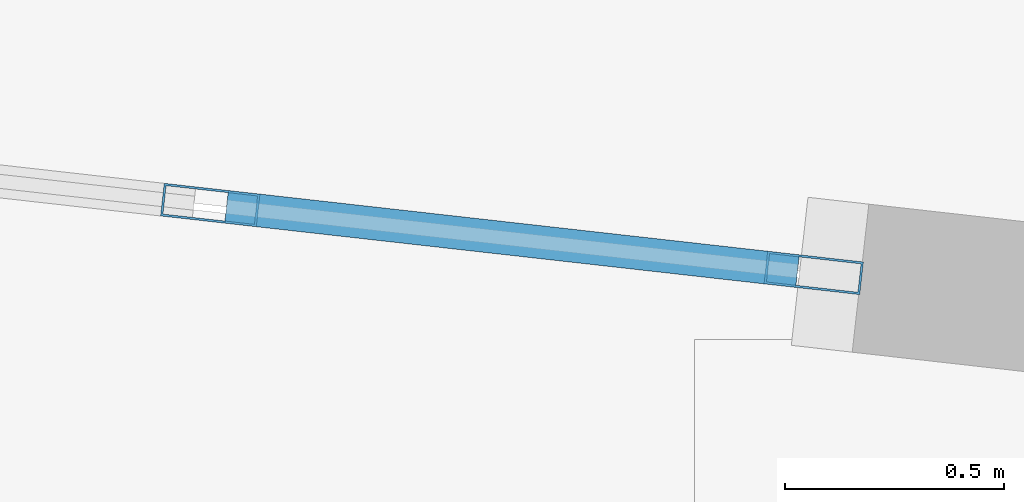
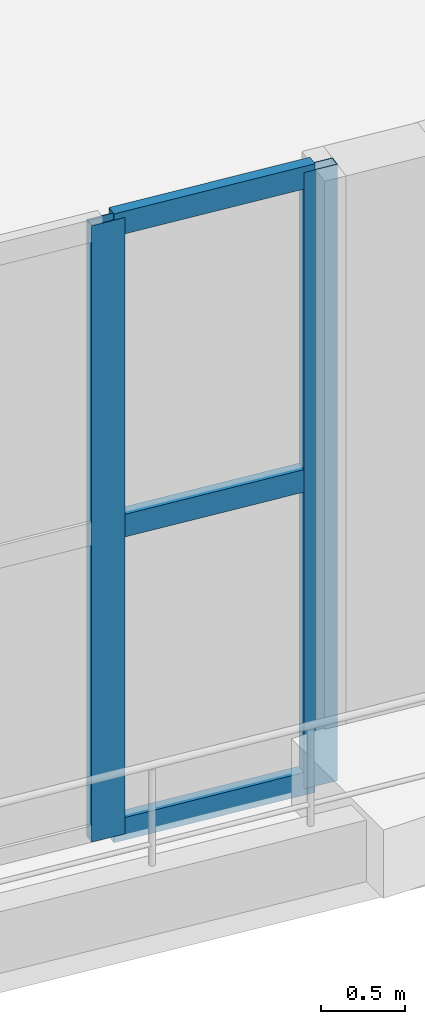
# One storey, part 6 of 23: 5 members, 1 element without a shape of its own.
"""IFC4 building model written with IfcOpenShell, lengths in metres."""

from ifc_helpers import new_model, si_unit, direction, frame, origin, origin_2d, place, context, subcontext, project, spatial, hollow_rectangle, extrude, material, layer, layer_set, material_profile, profile_set, type_object, element, aggregate, save


model = new_model("IFC4")

# Units and contexts
model_context = context("Model", 3, precision=1e-05, world=origin(), true_north=direction((0.0, 1.0)))
body_context = subcontext(model_context, "Body", "Model", "MODEL_VIEW")
ifc_project = project(units=[si_unit("LENGTHUNIT", "METRE"), si_unit("AREAUNIT", "SQUARE_METRE"), si_unit("VOLUMEUNIT", "CUBIC_METRE"), si_unit("PLANEANGLEUNIT", "RADIAN"), si_unit("MASSUNIT", "GRAM", prefix="KILO")], contexts=[model_context])

# Site, building, storey
site_placement = place(None, origin())
site = spatial("IfcSite", under=ifc_project, at=site_placement, CompositionType="ELEMENT")
building_placement = place(site_placement, origin())
building = spatial("IfcBuilding", under=site, at=building_placement, Name="Miruveldt Soraemaru", CompositionType="ELEMENT")
storey_placement = place(building_placement, frame((0.0, 0.0, 9.60009765625)))
storey = spatial("IfcBuildingStorey", under=building, at=storey_placement, Name="L03", CompositionType="ELEMENT", Elevation=9.60009765625)

# Curtain wall, members
ifc_material = material(Name="Anodised aluminium EN AW-6063 T6", Category="aluminium")
ifc_layer = layer(ifc_material, 0.219970703125, Name="Anodised aluminium EN AW-6063 T6", Category="aluminium")
ifc_layer_set = layer_set([ifc_layer], Name="Anodised aluminium EN AW-6063 T6")
curtain_wall_type = type_object("IfcCurtainWallType", Name="CW-SYS-2", PredefinedType="USERDEFINED", material=ifc_layer_set)
curtain_wall_placement = place(storey_placement, origin())
curtain_wall = element("IfcCurtainWall", 1, at=curtain_wall_placement, inside=storey, type_object=curtain_wall_type, Name="L03 Curtain Wall Bay 23", ObjectType="STOREFRONT", PredefinedType="USERDEFINED")
ifc_material_profile_1 = material_profile(ifc_material, hollow_rectangle(XDim=0.074951171875, YDim=0.219970703125, WallThickness=0.0048828125, at=origin_2d()), Name="Anodised aluminium EN AW-6063 T6", Category="aluminium")
ifc_profile_set_1 = profile_set([ifc_material_profile_1], Name="Anodised aluminium EN AW-6063 T6")
member_type_1 = type_object("IfcMemberType", Name="CWM-2", PredefinedType="MULLION", material=ifc_profile_set_1)
member_1_placement = place(storey_placement, frame((34.9853515625, 15.720703125, 0.0), z_axis=(0.0, 0.0, 1.0), x_axis=(0.11177808936, 0.993733192934, 0.0)))
member_1 = element("IfcMember", 2, at=member_1_placement, type_object=member_type_1, Name="CW-2 mullion 4", PredefinedType="MULLION", context=body_context, shape_type="SweptSolid", body=[
    extrude(hollow_rectangle(XDim=0.074951171875, YDim=0.219970703125, WallThickness=0.0048828125, at=origin_2d()), origin(), (0.0, 0.0, 1.0), 4.5),
])
member_2_placement = place(storey_placement, frame((36.36328125, 15.565673828125, 0.0), z_axis=(0.0, 0.0, 1.0), x_axis=(0.11177808936, 0.993733192934, 0.0)))
member_2 = element("IfcMember", 3, at=member_2_placement, type_object=member_type_1, Name="CW-2 mullion 5", PredefinedType="MULLION", context=body_context, shape_type="SweptSolid", body=[
    extrude(hollow_rectangle(XDim=0.074951171875, YDim=0.219970703125, WallThickness=0.0048828125, at=origin_2d()), origin(), (0.0, 0.0, 1.0), 4.5),
])
ifc_material_profile_2 = material_profile(ifc_material, hollow_rectangle(XDim=0.074951171875, YDim=0.1650390625, WallThickness=0.00390625, at=origin_2d()), Name="Anodised aluminium EN AW-6063 T6", Category="aluminium")
ifc_profile_set_2 = profile_set([ifc_material_profile_2], Name="Anodised aluminium EN AW-6063 T6")
member_type_2 = type_object("IfcMemberType", Name="CWT-2", PredefinedType="USERDEFINED", material=ifc_profile_set_2)
member_3_placement = place(storey_placement, frame((35.0224609375, 15.716552734375, 0.037353515625), z_axis=(0.993726146699, -0.111840714263, 0.0), x_axis=(0.111840714263, 0.993726146699, 0.0)))
member_3 = element("IfcMember", 4, at=member_3_placement, type_object=member_type_2, Name="CW-2 transom 4.1", ObjectType="TRANSOM", PredefinedType="USERDEFINED", context=body_context, shape_type="SweptSolid", body=[
    extrude(hollow_rectangle(XDim=0.074951171875, YDim=0.1650390625, WallThickness=0.00390625, at=origin_2d()), origin(), (0.0, 0.0, 1.0), 1.31201171875),
])
member_4_placement = place(storey_placement, frame((35.0224609375, 15.716552734375, 2.25), z_axis=(0.993726146699, -0.111840714263, 0.0), x_axis=(0.111840714263, 0.993726146699, 0.0)))
member_4 = element("IfcMember", 5, at=member_4_placement, type_object=member_type_2, Name="CW-2 transom 4.2", ObjectType="TRANSOM", PredefinedType="USERDEFINED", context=body_context, shape_type="SweptSolid", body=[
    extrude(hollow_rectangle(XDim=0.074951171875, YDim=0.1650390625, WallThickness=0.00390625, at=origin_2d()), origin(), (0.0, 0.0, 1.0), 1.31201171875),
])
member_5_placement = place(storey_placement, frame((35.0224609375, 15.716552734375, 4.46240234375), z_axis=(0.993726146699, -0.111840714263, 0.0), x_axis=(0.111840714263, 0.993726146699, 0.0)))
member_5 = element("IfcMember", 6, at=member_5_placement, type_object=member_type_2, Name="CW-2 transom 4.3", ObjectType="TRANSOM", PredefinedType="USERDEFINED", context=body_context, shape_type="SweptSolid", body=[
    extrude(hollow_rectangle(XDim=0.074951171875, YDim=0.1650390625, WallThickness=0.00390625, at=origin_2d()), origin(), (0.0, 0.0, 1.0), 1.31201171875),
])
aggregate(curtain_wall, [member_1, member_2, member_3, member_4, member_5])

save(model, "model.ifc")
